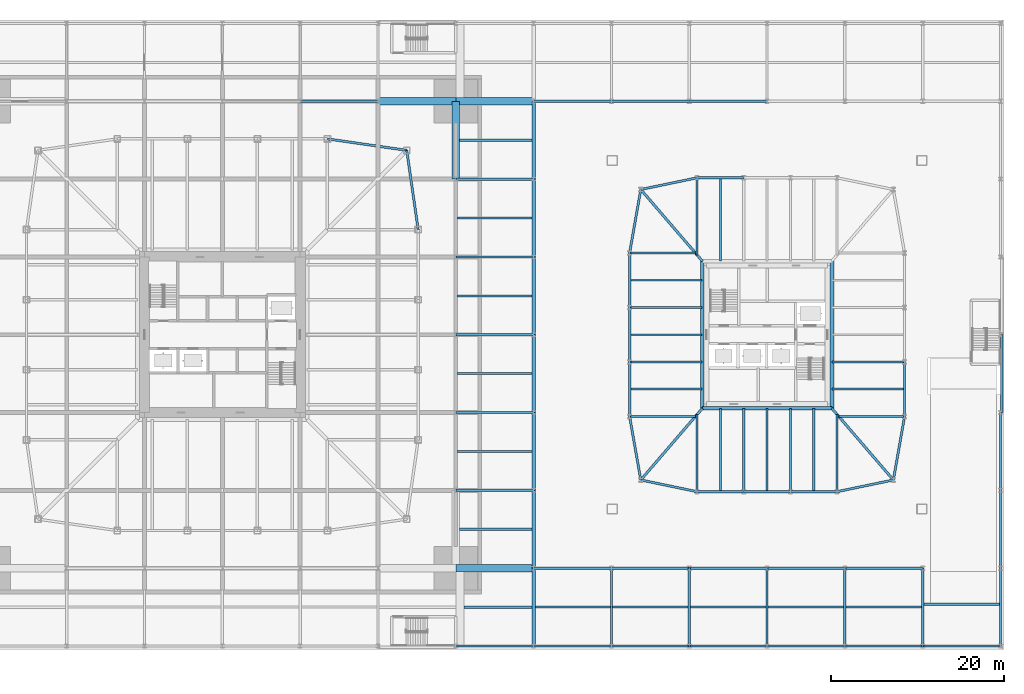
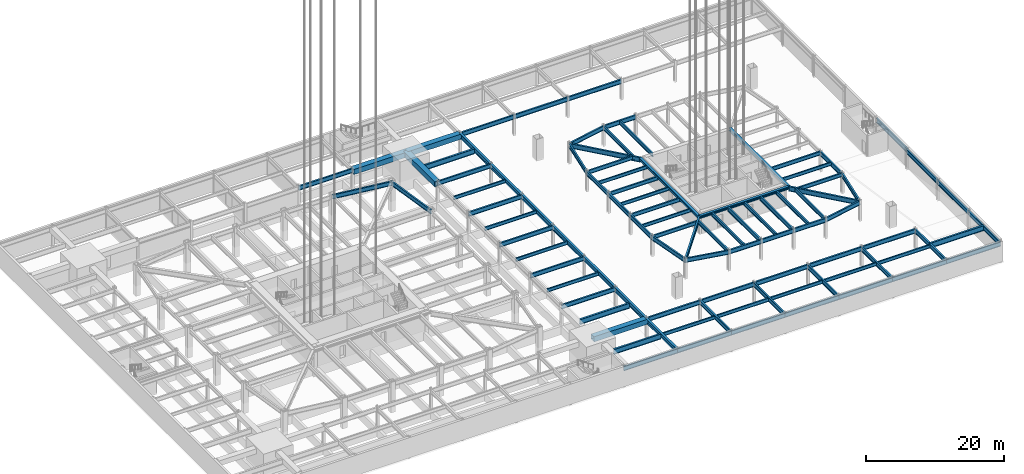
# One storey, part 7 of 35: 95 beams.
"""IFC4 building model written with IfcOpenShell, lengths in metres."""

from ifc_helpers import new_model, si_unit, direction, frame, origin, origin_2d, place, context, subcontext, project, spatial, hollow_rectangle, i_section, extrude, material, material_profile, profile_set, type_object, element, save


model = new_model("IFC4")

# Units and contexts
model_context = context("Model", 3, precision=1e-05, world=origin(), true_north=direction((0.0, 1.0)))
body_context = subcontext(model_context, "Body", "Model", "MODEL_VIEW")
ifc_project = project(units=[si_unit("LENGTHUNIT", "METRE"), si_unit("AREAUNIT", "SQUARE_METRE"), si_unit("VOLUMEUNIT", "CUBIC_METRE"), si_unit("PLANEANGLEUNIT", "RADIAN"), si_unit("MASSUNIT", "GRAM", prefix="KILO")], contexts=[model_context])

# Site, building, storey
site_placement = place(None, origin())
site = spatial("IfcSite", under=ifc_project, at=site_placement, CompositionType="ELEMENT")
building_placement = place(site_placement, origin())
building = spatial("IfcBuilding", under=site, at=building_placement, Name="Iwan Alto Co-Living Towers", CompositionType="ELEMENT")
storey_placement = place(building_placement, frame((0.0, 0.0, -7.199951171875)))
storey = spatial("IfcBuildingStorey", under=building, at=storey_placement, Name="B2", CompositionType="ELEMENT", Elevation=-7.199951171875)

# Beams
ifc_material_1 = material(Name="Steel ASTM A992 Gr 50", Category="steel")
ifc_material_profile_1 = material_profile(ifc_material_1, i_section(OverallWidth=0.2666015625, OverallDepth=0.76953125, WebThickness=0.015625, FlangeThickness=0.025390625, at=origin_2d()), Name="W30X132")
ifc_profile_set_1 = profile_set([ifc_material_profile_1], Name="Steel ASTM A992 Gr 50")
beam_type_1 = type_object("IfcBeamType", Name="PODIUM BEAM W30X132", PredefinedType="BEAM", material=ifc_profile_set_1)
for number, where, z_axis, x_axis, name in (
    (1, (9.0, 27.0, 2.965087890625), (1.0, 0.0, 0.0), (0.0, 1.0, 0.0), "Podium beam 6/H-7/H B1"),
    (2, (27.0, -36.0, 2.965087890625), (1.0, 0.0, 0.0), (0.0, 1.0, 0.0), "Podium beam 8/A-9/A B1"),
    (3, (27.0, -18.0, 2.965087890625), (1.0, 0.0, 0.0), (0.0, 1.0, 0.0), "Podium beam 8/C-9/C B1"),
    (4, (27.0, -9.0, 2.965087890625), (1.0, 0.0, 0.0), (0.0, 1.0, 0.0), "Podium beam 8/D-9/D B1"),
    (5, (27.0, 0.0, 2.965087890625), (1.0, 0.0, 0.0), (0.0, 1.0, 0.0), "Podium beam 8/E-9/E B1"),
    (6, (27.0, 9.0, 2.965087890625), (1.0, 0.0, 0.0), (0.0, 1.0, 0.0), "Podium beam 8/F-9/F B1"),
    (7, (27.0, 18.0, 2.965087890625), (1.0, 0.0, 0.0), (0.0, 1.0, 0.0), "Podium beam 8/G-9/G B1"),
    (8, (36.0, -36.0, 2.965087890625), (1.0, 0.0, 0.0), (0.0, 1.0, 0.0), "Podium beam 9/A-10/A B1"),
    (9, (36.0, -27.0, 2.965087890625), (1.0, 0.0, 0.0), (0.0, 1.0, 0.0), "Podium beam 9/B-10/B B1"),
    (10, (36.0, 27.0, 2.965087890625), (1.0, 0.0, 0.0), (0.0, 1.0, 0.0), "Podium beam 9/H-10/H B1"),
    (11, (45.0, -36.0, 2.965087890625), (1.0, 0.0, 0.0), (0.0, 1.0, 0.0), "Podium beam 10/A-11/A B1"),
    (12, (45.0, -36.0, 2.965087890625), (0.0, 1.0, 0.0), (-1.0, 0.0, 0.0), "Podium beam 10/A-10/B B1"),
    (13, (45.0, -27.0, 2.965087890625), (1.0, 0.0, 0.0), (0.0, 1.0, 0.0), "Podium beam 10/B-11/B B1"),
    (14, (45.0, 27.0, 2.965087890625), (1.0, 0.0, 0.0), (0.0, 1.0, 0.0), "Podium beam 10/H-11/H B1"),
    (15, (54.0, -36.0, 2.965087890625), (1.0, 0.0, 0.0), (0.0, 1.0, 0.0), "Podium beam 11/A-12/A B1"),
    (16, (54.0, -36.0, 2.965087890625), (0.0, 1.0, 0.0), (-1.0, 0.0, 0.0), "Podium beam 11/A-11/B B1"),
    (17, (54.0, -27.0, 2.965087890625), (1.0, 0.0, 0.0), (0.0, 1.0, 0.0), "Podium beam 11/B-12/B B1"),
    (18, (54.0, 27.0, 2.965087890625), (1.0, 0.0, 0.0), (0.0, 1.0, 0.0), "Podium beam 11/H-12/H B1"),
    (19, (63.0, -36.0, 2.965087890625), (1.0, 0.0, 0.0), (0.0, 1.0, 0.0), "Podium beam 12/A-13/A B1"),
    (20, (63.0, -36.0, 2.965087890625), (0.0, 1.0, 0.0), (-1.0, 0.0, 0.0), "Podium beam 12/A-12/B B1"),
    (21, (63.0, -27.0, 2.965087890625), (1.0, 0.0, 0.0), (0.0, 1.0, 0.0), "Podium beam 12/B-13/B B1"),
    (22, (72.0, -36.0, 2.965087890625), (1.0, 0.0, 0.0), (0.0, 1.0, 0.0), "Podium beam 13/A-14/A B1"),
    (23, (72.0, -36.0, 2.965087890625), (0.0, 1.0, 0.0), (-1.0, 0.0, 0.0), "Podium beam 13/A-13/B B1"),
    (24, (72.0, -27.0, 2.965087890625), (1.0, 0.0, 0.0), (0.0, 1.0, 0.0), "Podium beam 13/B-14/B B1"),
    (25, (81.0, -36.0, 2.965087890625), (1.0, 0.0, 0.0), (0.0, 1.0, 0.0), "Podium beam 14/A-15/A B1"),
    (26, (81.0, -36.0, 2.965087890625), (0.0, 1.0, 0.0), (-1.0, 0.0, 0.0), "Podium beam 14/A-14/B B1"),
    (27, (90.0, -36.0, 2.965087890625), (0.0, 1.0, 0.0), (-1.0, 0.0, 0.0), "Podium beam 15/A-15/B B1"),
    (28, (90.0, -27.0, 2.965087890625), (0.0, 1.0, 0.0), (-1.0, 0.0, 0.0), "Podium beam 15/B-15/C B1"),
    (29, (90.0, -18.0, 2.965087890625), (0.0, 1.0, 0.0), (-1.0, 0.0, 0.0), "Podium beam 15/C-15/D B1"),
    (30, (90.1533203125, -9.0, 2.965087890625), (0.0, 1.0, 0.0), (-1.0, 0.0, 0.0), "Podium beam 15/D-15/E B1"),
):
    element("IfcBeam", number, at=place(storey_placement, frame(where, z_axis=z_axis, x_axis=x_axis)), inside=storey, type_object=beam_type_1, Name=name, PredefinedType="BEAM", context=body_context, shape_type="SweptSolid", body=[
        extrude(i_section(OverallWidth=0.2666015625, OverallDepth=0.76953125, WebThickness=0.015625, FlangeThickness=0.025390625, at=origin_2d()), origin(), (0.0, 0.0, 1.0), 9.0),
    ])
ifc_material_2 = material(Name="Steel ASTM A992 Gr 50", Category="steel")
ifc_material_profile_2 = material_profile(ifc_material_2, i_section(OverallWidth=0.381103515625, OverallDepth=0.772216796875, WebThickness=0.0166015625, FlangeThickness=0.027099609375, at=origin_2d()), Name="W30X173")
ifc_profile_set_2 = profile_set([ifc_material_profile_2], Name="Steel ASTM A992 Gr 50")
beam_type_2 = type_object("IfcBeamType", Name="PODIUM JOINT BEAM W30X173", PredefinedType="BEAM", material=ifc_profile_set_2)
for number, where, z_axis, x_axis, name in (
    (31, (36.0, -36.0, 2.9638671875), (0.0, 1.0, 0.0), (-1.0, 0.0, 0.0), "Podium beam 9/A-9/B B1"),
    (32, (36.0, -27.0, 2.9638671875), (0.0, 1.0, 0.0), (-1.0, 0.0, 0.0), "Podium beam 9/B-9/C B1"),
    (33, (36.0, -18.0, 2.9638671875), (0.0, 1.0, 0.0), (-1.0, 0.0, 0.0), "Podium beam 9/C-9/D B1"),
    (34, (36.0, -9.0, 2.9638671875), (0.0, 1.0, 0.0), (-1.0, 0.0, 0.0), "Podium beam 9/D-9/E B1"),
    (35, (36.0, 0.0, 2.9638671875), (0.0, 1.0, 0.0), (-1.0, 0.0, 0.0), "Podium beam 9/E-9/F B1"),
    (36, (36.0, 9.0, 2.9638671875), (0.0, 1.0, 0.0), (-1.0, 0.0, 0.0), "Podium beam 9/F-9/G B1"),
    (37, (36.0, 18.0, 2.9638671875), (0.0, 1.0, 0.0), (-1.0, 0.0, 0.0), "Podium beam 9/G-9/H B1"),
):
    element("IfcBeam", number, at=place(storey_placement, frame(where, z_axis=z_axis, x_axis=x_axis)), inside=storey, type_object=beam_type_2, Name=name, PredefinedType="BEAM", context=body_context, shape_type="SweptSolid", body=[
        extrude(i_section(OverallWidth=0.381103515625, OverallDepth=0.772216796875, WebThickness=0.0166015625, FlangeThickness=0.027099609375, at=origin_2d()), origin(), (0.0, 0.0, 1.0), 9.0),
    ])
ifc_material_3 = material(Name="Steel ASTM A992 Gr 50", Category="steel")
ifc_material_profile_3 = material_profile(ifc_material_3, i_section(OverallWidth=0.307373046875, OverallDepth=0.927001953125, WebThickness=0.01953125, FlangeThickness=0.031982421875, at=origin_2d()), Name="W36X194")
ifc_profile_set_3 = profile_set([ifc_material_profile_3], Name="Steel ASTM A992 Gr 50")
beam_type_3 = type_object("IfcBeamType", Name="PODIUM PIER BAY SECONDARY BEAM W36X194", PredefinedType="JOIST", material=ifc_profile_set_3)
beam_1_placement = place(storey_placement, frame((27.919921875, -31.5, 2.886474609375), z_axis=(1.0, 0.0, 0.0), x_axis=(0.0, 1.0, 0.0)))
element("IfcBeam", 38, at=beam_1_placement, inside=storey, type_object=beam_type_3, Name="Podium secondary beam 8/A B1", PredefinedType="JOIST", context=body_context, shape_type="SweptSolid", body=[
    extrude(i_section(OverallWidth=0.307373046875, OverallDepth=0.927001953125, WebThickness=0.01953125, FlangeThickness=0.031982421875, at=origin_2d()), origin(), (0.0, 0.0, 1.0), 7.8896484375),
])
for number, where, z_axis, x_axis, name in (
    (39, (27.449951171875, -22.5, 2.886474609375), (1.0, 0.0, 0.0), (0.0, 1.0, 0.0), "Podium secondary beam 8/B B1"),
    (40, (27.449951171875, 22.5, 2.886474609375), (1.0, 0.0, 0.0), (0.0, 1.0, 0.0), "Podium secondary beam 8/G B1"),
):
    element("IfcBeam", number, at=place(storey_placement, frame(where, z_axis=z_axis, x_axis=x_axis)), inside=storey, type_object=beam_type_3, Name=name, PredefinedType="JOIST", context=body_context, shape_type="SweptSolid", body=[
        extrude(i_section(OverallWidth=0.307373046875, OverallDepth=0.927001953125, WebThickness=0.01953125, FlangeThickness=0.031982421875, at=origin_2d()), origin(), (0.0, 0.0, 1.0), 8.359619140625),
    ])
ifc_material_4 = material(Name="Steel ASTM A572 Gr 50", Category="steel")
ifc_material_profile_4 = material_profile(ifc_material_4, hollow_rectangle(XDim=0.89990234375, YDim=0.89990234375, WallThickness=0.06005859375, at=origin_2d()), Name="BOX 900X900X60")
ifc_profile_set_4 = profile_set([ifc_material_profile_4], Name="Steel ASTM A572 Gr 50")
beam_type_4 = type_object("IfcBeamType", Name="PODIUM PIER BEAM BOX 900X900X60", PredefinedType="BEAM", material=ifc_profile_set_4)
for number, where, z_axis, x_axis, name in (
    (41, (18.0, 27.0, 2.89990234375), (1.0, 0.0, 0.0), (0.0, 1.0, 0.0), "Podium beam 7/H-8/H B1"),
    (42, (27.0, -27.0, 2.89990234375), (1.0, 0.0, 0.0), (0.0, 1.0, 0.0), "Podium beam 8/B-9/B B1"),
    (43, (27.0, 18.0, 2.89990234375), (0.0, 1.0, 0.0), (-1.0, 0.0, 0.0), "Podium beam 8/G-8/H B1"),
    (44, (27.0, 27.0, 2.89990234375), (1.0, 0.0, 0.0), (0.0, 1.0, 0.0), "Podium beam 8/H-9/H B1"),
):
    element("IfcBeam", number, at=place(storey_placement, frame(where, z_axis=z_axis, x_axis=x_axis)), inside=storey, type_object=beam_type_4, Name=name, PredefinedType="BEAM", context=body_context, shape_type="SweptSolid", body=[
        extrude(hollow_rectangle(XDim=0.89990234375, YDim=0.89990234375, WallThickness=0.06005859375, at=origin_2d()), origin(), (0.0, 0.0, 1.0), 9.0),
    ])
ifc_material_5 = material(Name="Steel ASTM A992 Gr 50", Category="steel")
ifc_material_profile_5 = material_profile(ifc_material_5, i_section(OverallWidth=0.307373046875, OverallDepth=0.927001953125, WebThickness=0.01953125, FlangeThickness=0.031982421875, at=origin_2d()), Name="W36X194")
ifc_profile_set_5 = profile_set([ifc_material_profile_5], Name="Steel ASTM A992 Gr 50")
beam_type_5 = type_object("IfcBeamType", Name="PODIUM RAMP HEADER BEAM W36X194", PredefinedType="BEAM", material=ifc_profile_set_5)
beam_2_placement = place(storey_placement, frame((81.0, -31.173583984375, 2.886474609375), z_axis=(1.0, 0.0, 0.0), x_axis=(0.0, 1.0, 0.0)))
element("IfcBeam", 45, at=beam_2_placement, inside=storey, type_object=beam_type_5, Name="Podium ramp header B1", PredefinedType="BEAM", context=body_context, shape_type="SweptSolid", body=[
    extrude(i_section(OverallWidth=0.307373046875, OverallDepth=0.927001953125, WebThickness=0.01953125, FlangeThickness=0.031982421875, at=origin_2d()), origin(), (0.0, 0.0, 1.0), 9.0),
])
ifc_material_6 = material(Name="Steel ASTM A992 Gr 50", Category="steel")
ifc_material_profile_6 = material_profile(ifc_material_6, i_section(OverallWidth=0.23046875, OverallDepth=0.6171875, WebThickness=0.01318359375, FlangeThickness=0.022216796875, at=origin_2d()), Name="W24X94")
ifc_profile_set_6 = profile_set([ifc_material_profile_6], Name="Steel ASTM A992 Gr 50")
beam_type_6 = type_object("IfcBeamType", Name="PODIUM SECONDARY BEAM W24X94", PredefinedType="JOIST", material=ifc_profile_set_6)
for number, where, z_axis, x_axis, name in (
    (46, (27.13330078125, -13.5, 3.041259765625), (1.0, 0.0, 0.0), (0.0, 1.0, 0.0), "Podium secondary beam 8/C B1"),
    (47, (27.13330078125, -4.5, 3.041259765625), (1.0, 0.0, 0.0), (0.0, 1.0, 0.0), "Podium secondary beam 8/D B1"),
    (48, (27.13330078125, 4.5, 3.041259765625), (1.0, 0.0, 0.0), (0.0, 1.0, 0.0), "Podium secondary beam 8/E B1"),
    (49, (27.13330078125, 13.5, 3.041259765625), (1.0, 0.0, 0.0), (0.0, 1.0, 0.0), "Podium secondary beam 8/F B1"),
    (50, (36.1904296875, -31.5, 3.041259765625), (1.0, 0.0, 0.0), (0.0, 1.0, 0.0), "Podium secondary beam 9/A B1"),
):
    element("IfcBeam", number, at=place(storey_placement, frame(where, z_axis=z_axis, x_axis=x_axis)), inside=storey, type_object=beam_type_6, Name=name, PredefinedType="JOIST", context=body_context, shape_type="SweptSolid", body=[
        extrude(i_section(OverallWidth=0.23046875, OverallDepth=0.6171875, WebThickness=0.01318359375, FlangeThickness=0.022216796875, at=origin_2d()), origin(), (0.0, 0.0, 1.0), 8.67626953125),
    ])
for number, where, z_axis, x_axis, name in (
    (51, (45.13330078125, -31.5, 3.041259765625), (1.0, 0.0, 0.0), (0.0, 1.0, 0.0), "Podium secondary beam 10/A B1"),
    (52, (54.13330078125, -31.5, 3.041259765625), (1.0, 0.0, 0.0), (0.0, 1.0, 0.0), "Podium secondary beam 11/A B1"),
    (53, (63.13330078125, -31.5, 3.041259765625), (1.0, 0.0, 0.0), (0.0, 1.0, 0.0), "Podium secondary beam 12/A B1"),
    (54, (72.13330078125, -31.5, 3.041259765625), (1.0, 0.0, 0.0), (0.0, 1.0, 0.0), "Podium secondary beam 13/A B1"),
):
    element("IfcBeam", number, at=place(storey_placement, frame(where, z_axis=z_axis, x_axis=x_axis)), inside=storey, type_object=beam_type_6, Name=name, PredefinedType="JOIST", context=body_context, shape_type="SweptSolid", body=[
        extrude(i_section(OverallWidth=0.23046875, OverallDepth=0.6171875, WebThickness=0.01318359375, FlangeThickness=0.022216796875, at=origin_2d()), origin(), (0.0, 0.0, 1.0), 8.7333984375),
    ])
ifc_material_7 = material(Name="Steel ASTM A992 Gr 50", Category="steel")
ifc_material_profile_7 = material_profile(ifc_material_7, i_section(OverallWidth=0.2666015625, OverallDepth=0.761962890625, WebThickness=0.014404296875, FlangeThickness=0.021484375, at=origin_2d()), Name="W30X116")
ifc_profile_set_7 = profile_set([ifc_material_profile_7], Name="Steel ASTM A992 Gr 50")
beam_type_7 = type_object("IfcBeamType", Name="T1 EDGE BEAM W30X116", PredefinedType="BEAM", material=ifc_profile_set_7)
for number, where, z_axis, x_axis, name in (
    (55, (22.64990234375, 12.14990234375, 2.968994140625), (-0.142836940589, 0.989746234347, 0.0), (-0.989746234347, -0.142836940589, 0.0), "T1 edge beam E4 B1"),
    (56, (21.32568359375, 21.32568359375, 2.968994140625), (-0.989746234347, 0.142836940589, 0.0), (-0.142836940589, -0.989746234347, 0.0), "T1 edge beam CNE B1"),
):
    element("IfcBeam", number, at=place(storey_placement, frame(where, z_axis=z_axis, x_axis=x_axis)), inside=storey, type_object=beam_type_7, Name=name, PredefinedType="BEAM", context=body_context, shape_type="SweptSolid", body=[
        extrude(i_section(OverallWidth=0.2666015625, OverallDepth=0.761962890625, WebThickness=0.014404296875, FlangeThickness=0.021484375, at=origin_2d()), origin(), (0.0, 0.0, 1.0), 9.270751953125),
    ])
ifc_material_8 = material(Name="Steel ASTM A992 Gr 50", Category="steel")
ifc_material_profile_8 = material_profile(ifc_material_8, i_section(OverallWidth=0.424072265625, OverallDepth=0.47509765625, WebThickness=0.0478515625, FlangeThickness=0.0771484375, at=origin_2d()), Name="W14X426")
ifc_profile_set_8 = profile_set([ifc_material_profile_8], Name="Steel ASTM A992 Gr 50")
beam_type_8 = type_object("IfcBeamType", Name="T2 CORE LEDGER BEAM W14X426", PredefinedType="BEAM", material=ifc_profile_set_8)
beam_3_placement = place(storey_placement, frame((55.517578125, -8.51220703125, 3.112548828125), z_axis=(1.0, 0.0, 0.0), x_axis=(0.0, 1.0, 0.0)))
element("IfcBeam", 57, at=beam_3_placement, inside=storey, type_object=beam_type_8, Name="T2 core ledger beam S B1", PredefinedType="BEAM", context=body_context, shape_type="SweptSolid", body=[
    extrude(i_section(OverallWidth=0.424072265625, OverallDepth=0.47509765625, WebThickness=0.0478515625, FlangeThickness=0.0771484375, at=origin_2d()), origin(), (0.0, 0.0, 1.0), 14.96484375),
])
for number, where, z_axis, x_axis, name in (
    (58, (70.51220703125, -8.546630859375, 3.112548828125), (0.0, 1.0, 0.0), (-1.0, 0.0, 0.0), "T2 core ledger beam E B1"),
    (59, (55.48779296875, 8.546630859375, 3.112548828125), (0.0, -1.0, 0.0), (1.0, 0.0, 0.0), "T2 core ledger beam W B1"),
):
    element("IfcBeam", number, at=place(storey_placement, frame(where, z_axis=z_axis, x_axis=x_axis)), inside=storey, type_object=beam_type_8, Name=name, PredefinedType="BEAM", context=body_context, shape_type="SweptSolid", body=[
        extrude(i_section(OverallWidth=0.424072265625, OverallDepth=0.47509765625, WebThickness=0.0478515625, FlangeThickness=0.0771484375, at=origin_2d()), origin(), (0.0, 0.0, 1.0), 17.09326171875),
    ])
ifc_material_9 = material(Name="Steel ASTM A992 Gr 50", Category="steel")
ifc_material_profile_9 = material_profile(ifc_material_9, i_section(OverallWidth=0.2919921875, OverallDepth=0.8408203125, WebThickness=0.0146484375, FlangeThickness=0.021728515625, at=origin_2d()), Name="W33X130")
ifc_profile_set_9 = profile_set([ifc_material_profile_9], Name="Steel ASTM A992 Gr 50")
beam_type_9 = type_object("IfcBeamType", Name="T2 CORNER GIRDER W33X130", PredefinedType="BEAM", material=ifc_profile_set_9)
for number, where, z_axis, x_axis, name in (
    (60, (48.393798828125, -16.797119140625, 2.9296875), (0.651973760483, 0.758241528565, 0.0), (-0.758241528565, 0.651973760483, 0.0), "T2 corner girder CSW B1"),
    (61, (77.606201171875, -16.797119140625, 2.9296875), (-0.651973760483, 0.758241528565, 0.0), (-0.758241528565, -0.651973760483, 0.0), "T2 corner girder CSE B1"),
    (62, (48.393798828125, 16.797119140625, 2.9296875), (0.651973760483, -0.758241528565, 0.0), (0.758241528565, 0.651973760483, 0.0), "T2 corner girder CNW B1"),
):
    element("IfcBeam", number, at=place(storey_placement, frame(where, z_axis=z_axis, x_axis=x_axis)), inside=storey, type_object=beam_type_9, Name=name, PredefinedType="BEAM", context=body_context, shape_type="SweptSolid", body=[
        extrude(i_section(OverallWidth=0.2919921875, OverallDepth=0.8408203125, WebThickness=0.0146484375, FlangeThickness=0.021728515625, at=origin_2d()), origin(), (0.0, 0.0, 1.0), 10.926513671875),
    ])
ifc_material_10 = material(Name="Steel ASTM A992 Gr 50", Category="steel")
ifc_material_profile_10 = material_profile(ifc_material_10, i_section(OverallWidth=0.2666015625, OverallDepth=0.761962890625, WebThickness=0.014404296875, FlangeThickness=0.021484375, at=origin_2d()), Name="W30X116")
ifc_profile_set_10 = profile_set([ifc_material_profile_10], Name="Steel ASTM A992 Gr 50")
beam_type_10 = type_object("IfcBeamType", Name="T2 EDGE BEAM W30X116", PredefinedType="BEAM", material=ifc_profile_set_10)
beam_4_placement = place(storey_placement, frame((48.393798828125, -16.797119140625, 2.968994140625), z_axis=(0.979060119423, -0.203571320564, 0.0), x_axis=(0.203571320564, 0.979060119423, 0.0)))
element("IfcBeam", 63, at=beam_4_placement, inside=storey, type_object=beam_type_10, Name="T2 edge beam CSW B1", PredefinedType="BEAM", context=body_context, shape_type="SweptSolid", body=[
    extrude(i_section(OverallWidth=0.2666015625, OverallDepth=0.761962890625, WebThickness=0.014404296875, FlangeThickness=0.021484375, at=origin_2d()), origin(), (0.0, 0.0, 1.0), 6.645263671875),
])
beam_5_placement = place(storey_placement, frame((54.89990234375, -18.14990234375, 2.968994140625), z_axis=(1.0, 0.0, 0.0), x_axis=(0.0, 1.0, 0.0)))
element("IfcBeam", 64, at=beam_5_placement, inside=storey, type_object=beam_type_10, Name="T2 edge beam S1 B1", PredefinedType="BEAM", context=body_context, shape_type="SweptSolid", body=[
    extrude(i_section(OverallWidth=0.2666015625, OverallDepth=0.761962890625, WebThickness=0.014404296875, FlangeThickness=0.021484375, at=origin_2d()), origin(), (0.0, 0.0, 1.0), 5.400146484375),
])
beam_6_placement = place(storey_placement, frame((60.300048828125, -18.14990234375, 2.968994140625), z_axis=(1.0, 0.0, 0.0), x_axis=(0.0, 1.0, 0.0)))
element("IfcBeam", 65, at=beam_6_placement, inside=storey, type_object=beam_type_10, Name="T2 edge beam S2 B1", PredefinedType="BEAM", context=body_context, shape_type="SweptSolid", body=[
    extrude(i_section(OverallWidth=0.2666015625, OverallDepth=0.761962890625, WebThickness=0.014404296875, FlangeThickness=0.021484375, at=origin_2d()), origin(), (0.0, 0.0, 1.0), 5.39990234375),
])
beam_7_placement = place(storey_placement, frame((65.699951171875, -18.14990234375, 2.968994140625), z_axis=(1.0, 0.0, 0.0), x_axis=(0.0, 1.0, 0.0)))
element("IfcBeam", 66, at=beam_7_placement, inside=storey, type_object=beam_type_10, Name="T2 edge beam S3 B1", PredefinedType="BEAM", context=body_context, shape_type="SweptSolid", body=[
    extrude(i_section(OverallWidth=0.2666015625, OverallDepth=0.761962890625, WebThickness=0.014404296875, FlangeThickness=0.021484375, at=origin_2d()), origin(), (0.0, 0.0, 1.0), 5.400146484375),
])
beam_8_placement = place(storey_placement, frame((71.10009765625, -18.14990234375, 2.968994140625), z_axis=(0.979060119423, 0.203571320564, 0.0), x_axis=(-0.203571320564, 0.979060119423, 0.0)))
element("IfcBeam", 67, at=beam_8_placement, inside=storey, type_object=beam_type_10, Name="T2 edge beam S4 B1", PredefinedType="BEAM", context=body_context, shape_type="SweptSolid", body=[
    extrude(i_section(OverallWidth=0.2666015625, OverallDepth=0.761962890625, WebThickness=0.014404296875, FlangeThickness=0.021484375, at=origin_2d()), origin(), (0.0, 0.0, 1.0), 6.645263671875),
])
beam_9_placement = place(storey_placement, frame((77.606201171875, -16.797119140625, 2.968994140625), z_axis=(0.173413807283, 0.98484905008, 0.0), x_axis=(-0.98484905008, 0.173413807283, 0.0)))
element("IfcBeam", 68, at=beam_9_placement, inside=storey, type_object=beam_type_10, Name="T2 edge beam CSE B1", PredefinedType="BEAM", context=body_context, shape_type="SweptSolid", body=[
    extrude(i_section(OverallWidth=0.2666015625, OverallDepth=0.761962890625, WebThickness=0.014404296875, FlangeThickness=0.021484375, at=origin_2d()), origin(), (0.0, 0.0, 1.0), 7.460205078125),
])
beam_10_placement = place(storey_placement, frame((78.89990234375, -9.449951171875, 2.968994140625), z_axis=(0.0, 1.0, 0.0), x_axis=(-1.0, 0.0, 0.0)))
element("IfcBeam", 69, at=beam_10_placement, inside=storey, type_object=beam_type_10, Name="T2 edge beam E1 B1", PredefinedType="BEAM", context=body_context, shape_type="SweptSolid", body=[
    extrude(i_section(OverallWidth=0.2666015625, OverallDepth=0.761962890625, WebThickness=0.014404296875, FlangeThickness=0.021484375, at=origin_2d()), origin(), (0.0, 0.0, 1.0), 6.300048828125),
])
beam_11_placement = place(storey_placement, frame((60.300048828125, 18.14990234375, 2.968994140625), z_axis=(-1.0, 0.0, 0.0), x_axis=(0.0, -1.0, 0.0)))
element("IfcBeam", 70, at=beam_11_placement, inside=storey, type_object=beam_type_10, Name="T2 edge beam N3 B1", PredefinedType="BEAM", context=body_context, shape_type="SweptSolid", body=[
    extrude(i_section(OverallWidth=0.2666015625, OverallDepth=0.761962890625, WebThickness=0.014404296875, FlangeThickness=0.021484375, at=origin_2d()), origin(), (0.0, 0.0, 1.0), 5.400146484375),
])
beam_12_placement = place(storey_placement, frame((54.89990234375, 18.14990234375, 2.968994140625), z_axis=(-0.979060119423, -0.203571320564, 0.0), x_axis=(0.203571320564, -0.979060119423, 0.0)))
element("IfcBeam", 71, at=beam_12_placement, inside=storey, type_object=beam_type_10, Name="T2 edge beam N4 B1", PredefinedType="BEAM", context=body_context, shape_type="SweptSolid", body=[
    extrude(i_section(OverallWidth=0.2666015625, OverallDepth=0.761962890625, WebThickness=0.014404296875, FlangeThickness=0.021484375, at=origin_2d()), origin(), (0.0, 0.0, 1.0), 6.645263671875),
])
beam_13_placement = place(storey_placement, frame((48.393798828125, 16.797119140625, 2.968994140625), z_axis=(-0.173413807283, -0.98484905008, 0.0), x_axis=(0.98484905008, -0.173413807283, 0.0)))
element("IfcBeam", 72, at=beam_13_placement, inside=storey, type_object=beam_type_10, Name="T2 edge beam CNW B1", PredefinedType="BEAM", context=body_context, shape_type="SweptSolid", body=[
    extrude(i_section(OverallWidth=0.2666015625, OverallDepth=0.761962890625, WebThickness=0.014404296875, FlangeThickness=0.021484375, at=origin_2d()), origin(), (0.0, 0.0, 1.0), 7.460205078125),
])
beam_14_placement = place(storey_placement, frame((47.10009765625, 9.449951171875, 2.968994140625), z_axis=(0.0, -1.0, 0.0), x_axis=(1.0, 0.0, 0.0)))
element("IfcBeam", 73, at=beam_14_placement, inside=storey, type_object=beam_type_10, Name="T2 edge beam W1 B1", PredefinedType="BEAM", context=body_context, shape_type="SweptSolid", body=[
    extrude(i_section(OverallWidth=0.2666015625, OverallDepth=0.761962890625, WebThickness=0.014404296875, FlangeThickness=0.021484375, at=origin_2d()), origin(), (0.0, 0.0, 1.0), 6.300048828125),
])
beam_15_placement = place(storey_placement, frame((47.10009765625, 3.14990234375, 2.968994140625), z_axis=(0.0, -1.0, 0.0), x_axis=(1.0, 0.0, 0.0)))
element("IfcBeam", 74, at=beam_15_placement, inside=storey, type_object=beam_type_10, Name="T2 edge beam W2 B1", PredefinedType="BEAM", context=body_context, shape_type="SweptSolid", body=[
    extrude(i_section(OverallWidth=0.2666015625, OverallDepth=0.761962890625, WebThickness=0.014404296875, FlangeThickness=0.021484375, at=origin_2d()), origin(), (0.0, 0.0, 1.0), 6.2998046875),
])
beam_16_placement = place(storey_placement, frame((47.10009765625, -3.14990234375, 2.968994140625), z_axis=(0.0, -1.0, 0.0), x_axis=(1.0, 0.0, 0.0)))
element("IfcBeam", 75, at=beam_16_placement, inside=storey, type_object=beam_type_10, Name="T2 edge beam W3 B1", PredefinedType="BEAM", context=body_context, shape_type="SweptSolid", body=[
    extrude(i_section(OverallWidth=0.2666015625, OverallDepth=0.761962890625, WebThickness=0.014404296875, FlangeThickness=0.021484375, at=origin_2d()), origin(), (0.0, 0.0, 1.0), 6.300048828125),
])
beam_17_placement = place(storey_placement, frame((47.10009765625, -9.449951171875, 2.968994140625), z_axis=(0.173413807283, -0.98484905008, 0.0), x_axis=(0.98484905008, 0.173413807283, 0.0)))
element("IfcBeam", 76, at=beam_17_placement, inside=storey, type_object=beam_type_10, Name="T2 edge beam W4 B1", PredefinedType="BEAM", context=body_context, shape_type="SweptSolid", body=[
    extrude(i_section(OverallWidth=0.2666015625, OverallDepth=0.761962890625, WebThickness=0.014404296875, FlangeThickness=0.021484375, at=origin_2d()), origin(), (0.0, 0.0, 1.0), 7.460205078125),
])
ifc_material_11 = material(Name="Steel ASTM A992 Gr 50", Category="steel")
ifc_material_profile_11 = material_profile(ifc_material_11, i_section(OverallWidth=0.25390625, OverallDepth=0.683349609375, WebThickness=0.012451171875, FlangeThickness=0.018798828125, at=origin_2d()), Name="W27X94")
ifc_profile_set_11 = profile_set([ifc_material_profile_11], Name="Steel ASTM A992 Gr 50")
beam_type_11 = type_object("IfcBeamType", Name="T2 RADIAL BEAM W27X94", PredefinedType="BEAM", material=ifc_profile_set_11)
for number, where, z_axis, x_axis, name in (
    (77, (54.89990234375, -18.14990234375, 3.00830078125), (0.0, 1.0, 0.0), (-1.0, 0.0, 0.0), "T2 radial beam S1 B1"),
    (78, (71.10009765625, -18.14990234375, 3.00830078125), (0.0, 1.0, 0.0), (-1.0, 0.0, 0.0), "T2 radial beam S4 B1"),
):
    element("IfcBeam", number, at=place(storey_placement, frame(where, z_axis=z_axis, x_axis=x_axis)), inside=storey, type_object=beam_type_11, Name=name, PredefinedType="BEAM", context=body_context, shape_type="SweptSolid", body=[
        extrude(i_section(OverallWidth=0.25390625, OverallDepth=0.683349609375, WebThickness=0.012451171875, FlangeThickness=0.018798828125, at=origin_2d()), origin(), (0.0, 0.0, 1.0), 8.91943359375),
    ])
beam_18_placement = place(storey_placement, frame((78.89990234375, -9.449951171875, 3.00830078125), z_axis=(-1.0, 0.0, 0.0), x_axis=(0.0, -1.0, 0.0)))
element("IfcBeam", 79, at=beam_18_placement, inside=storey, type_object=beam_type_11, Name="T2 radial beam E1 B1", PredefinedType="BEAM", context=body_context, shape_type="SweptSolid", body=[
    extrude(i_section(OverallWidth=0.25390625, OverallDepth=0.683349609375, WebThickness=0.012451171875, FlangeThickness=0.018798828125, at=origin_2d()), origin(), (0.0, 0.0, 1.0), 7.611083984375),
])
beam_19_placement = place(storey_placement, frame((78.89990234375, -3.14990234375, 3.00830078125), z_axis=(-1.0, 0.0, 0.0), x_axis=(0.0, -1.0, 0.0)))
element("IfcBeam", 80, at=beam_19_placement, inside=storey, type_object=beam_type_11, Name="T2 radial beam E2 B1", PredefinedType="BEAM", context=body_context, shape_type="SweptSolid", body=[
    extrude(i_section(OverallWidth=0.25390625, OverallDepth=0.683349609375, WebThickness=0.012451171875, FlangeThickness=0.018798828125, at=origin_2d()), origin(), (0.0, 0.0, 1.0), 8.3876953125),
])
beam_20_placement = place(storey_placement, frame((54.89990234375, 18.14990234375, 3.00830078125), z_axis=(0.0, -1.0, 0.0), x_axis=(1.0, 0.0, 0.0)))
element("IfcBeam", 81, at=beam_20_placement, inside=storey, type_object=beam_type_11, Name="T2 radial beam N4 B1", PredefinedType="BEAM", context=body_context, shape_type="SweptSolid", body=[
    extrude(i_section(OverallWidth=0.25390625, OverallDepth=0.683349609375, WebThickness=0.012451171875, FlangeThickness=0.018798828125, at=origin_2d()), origin(), (0.0, 0.0, 1.0), 8.91943359375),
])
beam_21_placement = place(storey_placement, frame((47.10009765625, 9.449951171875, 3.00830078125), z_axis=(1.0, 0.0, 0.0), x_axis=(0.0, 1.0, 0.0)))
element("IfcBeam", 82, at=beam_21_placement, inside=storey, type_object=beam_type_11, Name="T2 radial beam W1 B1", PredefinedType="BEAM", context=body_context, shape_type="SweptSolid", body=[
    extrude(i_section(OverallWidth=0.25390625, OverallDepth=0.683349609375, WebThickness=0.012451171875, FlangeThickness=0.018798828125, at=origin_2d()), origin(), (0.0, 0.0, 1.0), 7.611083984375),
])
for number, where, z_axis, x_axis, name in (
    (83, (47.10009765625, 3.14990234375, 3.00830078125), (1.0, 0.0, 0.0), (0.0, 1.0, 0.0), "T2 radial beam W2 B1"),
    (84, (47.10009765625, -3.14990234375, 3.00830078125), (1.0, 0.0, 0.0), (0.0, 1.0, 0.0), "T2 radial beam W3 B1"),
):
    element("IfcBeam", number, at=place(storey_placement, frame(where, z_axis=z_axis, x_axis=x_axis)), inside=storey, type_object=beam_type_11, Name=name, PredefinedType="BEAM", context=body_context, shape_type="SweptSolid", body=[
        extrude(i_section(OverallWidth=0.25390625, OverallDepth=0.683349609375, WebThickness=0.012451171875, FlangeThickness=0.018798828125, at=origin_2d()), origin(), (0.0, 0.0, 1.0), 8.3876953125),
    ])
beam_22_placement = place(storey_placement, frame((47.10009765625, -9.449951171875, 3.00830078125), z_axis=(1.0, 0.0, 0.0), x_axis=(0.0, 1.0, 0.0)))
element("IfcBeam", 85, at=beam_22_placement, inside=storey, type_object=beam_type_11, Name="T2 radial beam W4 B1", PredefinedType="BEAM", context=body_context, shape_type="SweptSolid", body=[
    extrude(i_section(OverallWidth=0.25390625, OverallDepth=0.683349609375, WebThickness=0.012451171875, FlangeThickness=0.018798828125, at=origin_2d()), origin(), (0.0, 0.0, 1.0), 7.611083984375),
])
ifc_material_12 = material(Name="Steel ASTM A992 Gr 50", Category="steel")
ifc_material_profile_12 = material_profile(ifc_material_12, i_section(OverallWidth=0.2666015625, OverallDepth=0.761962890625, WebThickness=0.014404296875, FlangeThickness=0.021484375, at=origin_2d()), Name="W30X116")
ifc_profile_set_12 = profile_set([ifc_material_profile_12], Name="Steel ASTM A992 Gr 50")
beam_type_12 = type_object("IfcBeamType", Name="T2 RADIAL BEAM W30X116", PredefinedType="BEAM", material=ifc_profile_set_12)
for number, where, z_axis, x_axis, name in (
    (86, (60.300048828125, -18.14990234375, 2.968994140625), (0.0, 1.0, 0.0), (-1.0, 0.0, 0.0), "T2 radial beam S2 B1"),
    (87, (65.699951171875, -18.14990234375, 2.968994140625), (0.0, 1.0, 0.0), (-1.0, 0.0, 0.0), "T2 radial beam S3 B1"),
):
    element("IfcBeam", number, at=place(storey_placement, frame(where, z_axis=z_axis, x_axis=x_axis)), inside=storey, type_object=beam_type_12, Name=name, PredefinedType="BEAM", context=body_context, shape_type="SweptSolid", body=[
        extrude(i_section(OverallWidth=0.2666015625, OverallDepth=0.761962890625, WebThickness=0.014404296875, FlangeThickness=0.021484375, at=origin_2d()), origin(), (0.0, 0.0, 1.0), 9.6376953125),
    ])
ifc_material_13 = material(Name="Steel ASTM A992 Gr 50", Category="steel")
ifc_material_profile_13 = material_profile(ifc_material_13, i_section(OverallWidth=0.228271484375, OverallDepth=0.607177734375, WebThickness=0.01123046875, FlangeThickness=0.017333984375, at=origin_2d()), Name="W24X76")
ifc_profile_set_13 = profile_set([ifc_material_profile_13], Name="Steel ASTM A992 Gr 50")
beam_type_13 = type_object("IfcBeamType", Name="T2 SECONDARY BEAM W24X76", PredefinedType="JOIST", material=ifc_profile_set_13)
for number, where, z_axis, x_axis, name in (
    (88, (78.89990234375, -6.300048828125, 3.04638671875), (-1.0, 0.0, 0.0), (0.0, -1.0, 0.0), "T2 secondary beam E1 B1"),
    (89, (47.10009765625, 6.300048828125, 3.04638671875), (1.0, 0.0, 0.0), (0.0, 1.0, 0.0), "T2 secondary beam W1 B1"),
    (90, (47.10009765625, 0.0, 3.04638671875), (1.0, 0.0, 0.0), (0.0, 1.0, 0.0), "T2 secondary beam W2 B1"),
    (91, (47.10009765625, -6.300048828125, 3.04638671875), (1.0, 0.0, 0.0), (0.0, 1.0, 0.0), "T2 secondary beam W3 B1"),
):
    element("IfcBeam", number, at=place(storey_placement, frame(where, z_axis=z_axis, x_axis=x_axis)), inside=storey, type_object=beam_type_13, Name=name, PredefinedType="JOIST", context=body_context, shape_type="SweptSolid", body=[
        extrude(i_section(OverallWidth=0.228271484375, OverallDepth=0.607177734375, WebThickness=0.01123046875, FlangeThickness=0.017333984375, at=origin_2d()), origin(), (0.0, 0.0, 1.0), 8.3876953125),
    ])
ifc_material_14 = material(Name="Steel ASTM A992 Gr 50", Category="steel")
ifc_material_profile_14 = material_profile(ifc_material_14, i_section(OverallWidth=0.25390625, OverallDepth=0.683349609375, WebThickness=0.012451171875, FlangeThickness=0.018798828125, at=origin_2d()), Name="W27X94")
ifc_profile_set_14 = profile_set([ifc_material_profile_14], Name="Steel ASTM A992 Gr 50")
beam_type_14 = type_object("IfcBeamType", Name="T2 SECONDARY BEAM W27X94", PredefinedType="JOIST", material=ifc_profile_set_14)
for number, where, z_axis, x_axis, name in (
    (92, (57.60009765625, -18.14990234375, 3.00830078125), (0.0, 1.0, 0.0), (-1.0, 0.0, 0.0), "T2 secondary beam S1 B1"),
    (93, (63.0, -18.14990234375, 3.00830078125), (0.0, 1.0, 0.0), (-1.0, 0.0, 0.0), "T2 secondary beam S2 B1"),
    (94, (68.39990234375, -18.14990234375, 3.00830078125), (0.0, 1.0, 0.0), (-1.0, 0.0, 0.0), "T2 secondary beam S3 B1"),
    (95, (57.60009765625, 18.14990234375, 3.00830078125), (0.0, -1.0, 0.0), (1.0, 0.0, 0.0), "T2 secondary beam N3 B1"),
):
    element("IfcBeam", number, at=place(storey_placement, frame(where, z_axis=z_axis, x_axis=x_axis)), inside=storey, type_object=beam_type_14, Name=name, PredefinedType="JOIST", context=body_context, shape_type="SweptSolid", body=[
        extrude(i_section(OverallWidth=0.25390625, OverallDepth=0.683349609375, WebThickness=0.012451171875, FlangeThickness=0.018798828125, at=origin_2d()), origin(), (0.0, 0.0, 1.0), 9.6376953125),
    ])

save(model, "model.ifc")
